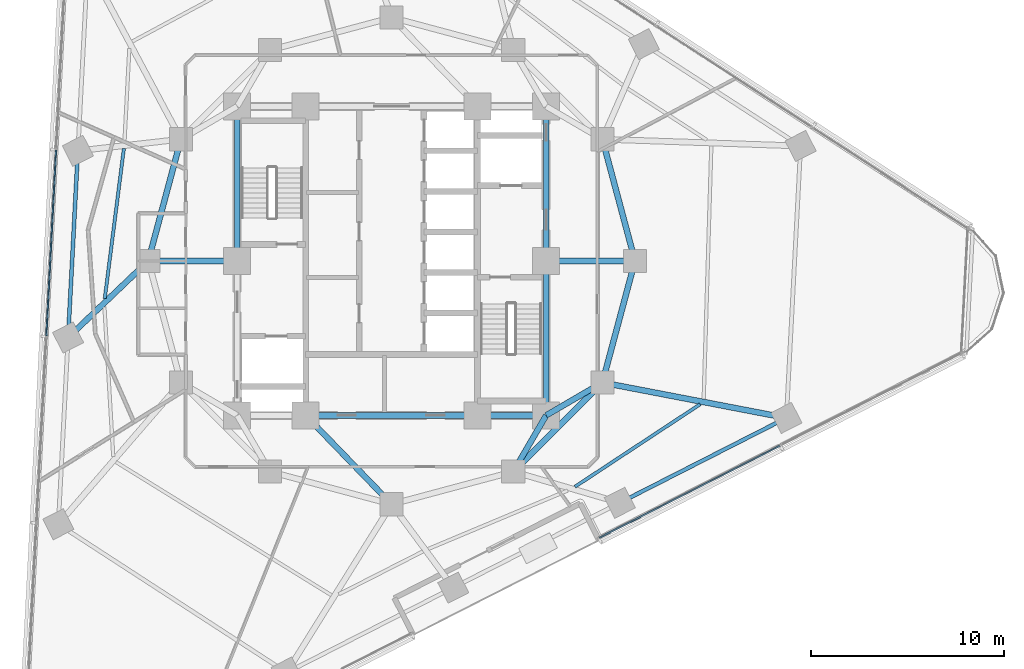
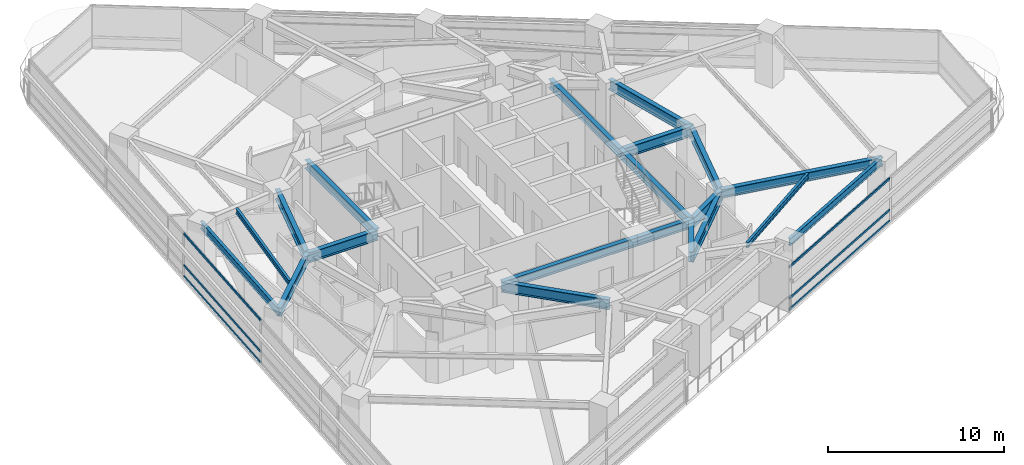
# One storey, part 3 of 14: 20 beams, 6 members, 2 elements without a shape of their own.
"""IFC4 building model written with IfcOpenShell, lengths in metres."""

from ifc_helpers import new_model, si_unit, direction, frame, origin, origin_2d, place, context, subcontext, project, spatial, rectangle, i_section, extrude, material, layer, layer_set, material_profile, profile_set, type_object, element, aggregate, save


model = new_model("IFC4")

# Units and contexts
model_context = context("Model", 3, precision=1e-05, world=origin(), true_north=direction((0.0, 1.0)))
body_context = subcontext(model_context, "Body", "Model", "MODEL_VIEW")
ifc_project = project(units=[si_unit("LENGTHUNIT", "METRE"), si_unit("AREAUNIT", "SQUARE_METRE"), si_unit("VOLUMEUNIT", "CUBIC_METRE"), si_unit("PLANEANGLEUNIT", "RADIAN"), si_unit("MASSUNIT", "GRAM", prefix="KILO")], contexts=[model_context])

# Site, building, storey
site_placement = place(None, origin())
site = spatial("IfcSite", under=ifc_project, at=site_placement, CompositionType="ELEMENT")
building_placement = place(site_placement, origin())
building = spatial("IfcBuilding", under=site, at=building_placement, Name="Terralouvre Media Tower", CompositionType="ELEMENT")
storey_placement = place(building_placement, frame((0.0, 0.0, 131.0)))
storey = spatial("IfcBuildingStorey", under=building, at=storey_placement, Name="L33", CompositionType="ELEMENT", Elevation=131.0)

# Beams
ifc_material_1 = material(Name="Structural steel S355J2", Category="steel")
ifc_material_profile_1 = material_profile(ifc_material_1, i_section(OverallWidth=0.169921875, OverallDepth=0.360107421875, WebThickness=0.008056640625, FlangeThickness=0.0126953125, at=origin_2d()), Name="IPE 360")
ifc_profile_set_1 = profile_set([ifc_material_profile_1], Name="Structural steel S355J2")
beam_type_1 = type_object("IfcBeamType", Name="Composite Floor Joist J-IPE360 (IPE 360)", PredefinedType="JOIST", material=ifc_profile_set_1)
beam_1_placement = place(storey_placement, frame((9.494873046875, -11.69140625, 3.320068359375), z_axis=(0.835078132026, 0.550131360142, 0.0), x_axis=(-0.550131360142, 0.835078132026, 0.0)))
element("IfcBeam", 1, at=beam_1_placement, inside=storey, type_object=beam_type_1, Name="L33 Framing Beam JT-L33-05", PredefinedType="JOIST", context=body_context, shape_type="SweptSolid", body=[
    extrude(i_section(OverallWidth=0.169921875, OverallDepth=0.360107421875, WebThickness=0.008056640625, FlangeThickness=0.0126953125, at=origin_2d()), origin(), (0.0, 0.0, 1.0), 7.75830078125),
])
beam_2_placement = place(storey_placement, frame((-13.864990234375, 5.81787109375, 3.320068359375), z_axis=(-0.126325695796, -0.991988819787, 0.0), x_axis=(0.991988819787, -0.126325695796, 0.0)))
element("IfcBeam", 2, at=beam_2_placement, inside=storey, type_object=beam_type_1, Name="L33 Framing Beam JT-L33-12", PredefinedType="JOIST", context=body_context, shape_type="SweptSolid", body=[
    extrude(i_section(OverallWidth=0.169921875, OverallDepth=0.360107421875, WebThickness=0.008056640625, FlangeThickness=0.0126953125, at=origin_2d()), origin(), (0.0, 0.0, 1.0), 7.8291015625),
])

# Curtain wall, members
ifc_material_2 = material(Name="Low-iron laminated double glazing with solar-control coating", Category="glass")
ifc_layer = layer(ifc_material_2, 0.1650390625, Name="Production Studio Tower Curtain Wall CW-03")
ifc_layer_set = layer_set([ifc_layer], Name="Low-iron laminated double glazing with solar-control coating")
curtain_wall_type = type_object("IfcCurtainWallType", Name="Production Studio Tower Curtain Wall CW-03", PredefinedType="NOTDEFINED", material=ifc_layer_set)
curtain_wall_1_placement = place(storey_placement, origin())
curtain_wall_1 = element("IfcCurtainWall", 3, at=curtain_wall_1_placement, inside=storey, type_object=curtain_wall_type, Name="L33 Right Flank Curtain Wall F0", PredefinedType="NOTDEFINED")
ifc_material_3 = material(Name="Anodised extruded aluminium 6063-T6", Category="aluminium")
ifc_material_profile_2 = material_profile(ifc_material_3, rectangle(XDim=0.074951171875, YDim=0.14990234375, at=origin_2d()), Name="ALU 75x150")
ifc_profile_set_2 = profile_set([ifc_material_profile_2], Name="Anodised extruded aluminium 6063-T6")
member_type = type_object("IfcMemberType", Name="Curtain-Wall Horizontal Transom TR-150", PredefinedType="USERDEFINED", material=ifc_profile_set_2)
member_1_placement = place(storey_placement, frame((10.753662109375, -14.33203125, 0.03759765625), z_axis=(0.89100733947, 0.453988899656, 0.0), x_axis=(-0.453988899656, 0.89100733947, 0.0)))
member_1 = element("IfcMember", 4, at=member_1_placement, type_object=member_type, Name="CW-03 transom 1.1", ObjectType="TRANSOM", PredefinedType="USERDEFINED", context=body_context, shape_type="SweptSolid", body=[
    extrude(rectangle(XDim=0.074951171875, YDim=0.14990234375, at=origin_2d()), origin(), (0.0, 0.0, 1.0), 10.487548828125),
])
member_2_placement = place(storey_placement, frame((10.753662109375, -14.33203125, 0.800048828125), z_axis=(0.89100733947, 0.453988899656, 0.0), x_axis=(-0.453988899656, 0.89100733947, 0.0)))
member_2 = element("IfcMember", 5, at=member_2_placement, type_object=member_type, Name="CW-03 transom 1.2", ObjectType="TRANSOM", PredefinedType="USERDEFINED", context=body_context, shape_type="SweptSolid", body=[
    extrude(rectangle(XDim=0.074951171875, YDim=0.14990234375, at=origin_2d()), origin(), (0.0, 0.0, 1.0), 10.487548828125),
])
member_3_placement = place(storey_placement, frame((10.753662109375, -14.33203125, 2.96240234375), z_axis=(0.89100733947, 0.453988899656, 0.0), x_axis=(-0.453988899656, 0.89100733947, 0.0)))
member_3 = element("IfcMember", 6, at=member_3_placement, type_object=member_type, Name="CW-03 transom 1.3", ObjectType="TRANSOM", PredefinedType="USERDEFINED", context=body_context, shape_type="SweptSolid", body=[
    extrude(rectangle(XDim=0.074951171875, YDim=0.14990234375, at=origin_2d()), origin(), (0.0, 0.0, 1.0), 10.487548828125),
])
aggregate(curtain_wall_1, [member_1, member_2, member_3])

curtain_wall_2_placement = place(storey_placement, origin())
curtain_wall_2 = element("IfcCurtainWall", 7, at=curtain_wall_2_placement, inside=storey, type_object=curtain_wall_type, Name="L33 Facade Curtain Wall F2", PredefinedType="NOTDEFINED")
member_4_placement = place(storey_placement, frame((-17.37646484375, 5.7197265625, 0.03759765625), z_axis=(-0.052336036535, -0.998629530547, 0.0), x_axis=(0.998629530547, -0.052336036535, 0.0)))
member_4 = element("IfcMember", 8, at=member_4_placement, type_object=member_type, Name="CW-03 transom 3.1", ObjectType="TRANSOM", PredefinedType="USERDEFINED", context=body_context, shape_type="SweptSolid", body=[
    extrude(rectangle(XDim=0.074951171875, YDim=0.14990234375, at=origin_2d()), origin(), (0.0, 0.0, 1.0), 9.60498046875),
])
member_5_placement = place(storey_placement, frame((-17.37646484375, 5.7197265625, 0.800048828125), z_axis=(-0.052336036535, -0.998629530547, 0.0), x_axis=(0.998629530547, -0.052336036535, 0.0)))
member_5 = element("IfcMember", 9, at=member_5_placement, type_object=member_type, Name="CW-03 transom 3.2", ObjectType="TRANSOM", PredefinedType="USERDEFINED", context=body_context, shape_type="SweptSolid", body=[
    extrude(rectangle(XDim=0.074951171875, YDim=0.14990234375, at=origin_2d()), origin(), (0.0, 0.0, 1.0), 9.60498046875),
])
member_6_placement = place(storey_placement, frame((-17.37646484375, 5.7197265625, 2.96240234375), z_axis=(-0.052336036535, -0.998629530547, 0.0), x_axis=(0.998629530547, -0.052336036535, 0.0)))
member_6 = element("IfcMember", 10, at=member_6_placement, type_object=member_type, Name="CW-03 transom 3.3", ObjectType="TRANSOM", PredefinedType="USERDEFINED", context=body_context, shape_type="SweptSolid", body=[
    extrude(rectangle(XDim=0.074951171875, YDim=0.14990234375, at=origin_2d()), origin(), (0.0, 0.0, 1.0), 9.60498046875),
])
aggregate(curtain_wall_2, [member_4, member_5, member_6])

# Beams
ifc_material_4 = material(Name="Structural steel S355J2", Category="steel")
ifc_material_profile_3 = material_profile(ifc_material_4, i_section(OverallWidth=0.199951171875, OverallDepth=0.5, WebThickness=0.01025390625, FlangeThickness=0.01611328125, at=origin_2d()), Name="IPE 500")
ifc_profile_set_3 = profile_set([ifc_material_profile_3], Name="Structural steel S355J2")
beam_type_2 = type_object("IfcBeamType", Name="Perimeter Spandrel Beam SPB-500 (IPE 500)", PredefinedType="SPANDREL", material=ifc_profile_set_3)
for number, where, z_axis, x_axis, name in (
    (11, (11.813232421875, -12.523681640625, 3.25), (0.891011779054, 0.453980186338, 0.0), (-0.453980186338, 0.891011779054, 0.0), "L33 Framing Beam BM-L33-PR05"),
    (12, (-16.245849609375, 5.697998046875, 3.25), (-0.052333792648, -0.998629648141, 0.0), (0.998629648141, -0.052333792648, 0.0), "L33 Framing Beam BM-L33-PR12"),
):
    element("IfcBeam", number, at=place(storey_placement, frame(where, z_axis=z_axis, x_axis=x_axis)), inside=storey, type_object=beam_type_2, Name=name, PredefinedType="SPANDREL", context=body_context, shape_type="SweptSolid", body=[
        extrude(i_section(OverallWidth=0.199951171875, OverallDepth=0.5, WebThickness=0.01025390625, FlangeThickness=0.01611328125, at=origin_2d()), origin(), (0.0, 0.0, 1.0), 9.679931640625),
    ])
ifc_material_5 = material(Name="Structural steel S460M", Category="steel")
ifc_material_profile_4 = material_profile(ifc_material_5, i_section(OverallWidth=0.300048828125, OverallDepth=0.60009765625, WebThickness=0.015380859375, FlangeThickness=0.030029296875, at=origin_2d()), Name="HEB 600")
ifc_profile_set_4 = profile_set([ifc_material_profile_4], Name="Structural steel S460M")
beam_type_3 = type_object("IfcBeamType", Name="Primary Floor Girder B-HEB600 (HEB 600)", PredefinedType="BEAM", material=ifc_profile_set_4)
beam_3_placement = place(storey_placement, frame((-4.449951171875, -8.0, 3.199951171875), z_axis=(1.0, 0.0, 0.0), x_axis=(0.0, 1.0, 0.0)))
element("IfcBeam", 13, at=beam_3_placement, inside=storey, type_object=beam_type_3, Name="L33 Framing Beam BM-L33-CPR02", PredefinedType="BEAM", context=body_context, shape_type="SweptSolid", body=[
    extrude(i_section(OverallWidth=0.300048828125, OverallDepth=0.60009765625, WebThickness=0.015380859375, FlangeThickness=0.030029296875, at=origin_2d()), origin(), (0.0, 0.0, 1.0), 8.89990234375),
])
beam_4_placement = place(storey_placement, frame((4.449951171875, -8.0, 3.199951171875), z_axis=(1.0, 0.0, 0.0), x_axis=(0.0, 1.0, 0.0)))
element("IfcBeam", 14, at=beam_4_placement, inside=storey, type_object=beam_type_3, Name="L33 Framing Beam BM-L33-CPR03", PredefinedType="BEAM", context=body_context, shape_type="SweptSolid", body=[
    extrude(i_section(OverallWidth=0.300048828125, OverallDepth=0.60009765625, WebThickness=0.015380859375, FlangeThickness=0.030029296875, at=origin_2d()), origin(), (0.0, 0.0, 1.0), 3.550048828125),
])
for number, where, z_axis, x_axis, name in (
    (15, (8.0, -8.0, 3.199951171875), (0.0, 1.0, 0.0), (-1.0, 0.0, 0.0), "L33 Framing Beam BM-L33-CPR04"),
    (16, (8.0, 0.0, 3.199951171875), (0.0, 1.0, 0.0), (-1.0, 0.0, 0.0), "L33 Framing Beam BM-L33-CPR05"),
    (17, (-8.0, 8.0, 3.199951171875), (0.0, -1.0, 0.0), (1.0, 0.0, 0.0), "L33 Framing Beam BM-L33-CPR09"),
):
    element("IfcBeam", number, at=place(storey_placement, frame(where, z_axis=z_axis, x_axis=x_axis)), inside=storey, type_object=beam_type_3, Name=name, PredefinedType="BEAM", context=body_context, shape_type="SweptSolid", body=[
        extrude(i_section(OverallWidth=0.300048828125, OverallDepth=0.60009765625, WebThickness=0.015380859375, FlangeThickness=0.030029296875, at=origin_2d()), origin(), (0.0, 0.0, 1.0), 8.0),
    ])
beam_5_placement = place(storey_placement, frame((-12.60009765625, 0.0, 3.199951171875), z_axis=(-0.722907652864, -0.690944661627, 0.0), x_axis=(0.690944661627, -0.722907652864, 0.0)))
element("IfcBeam", 18, at=beam_5_placement, inside=storey, type_object=beam_type_3, Name="L33 Framing Beam BM-L33-RD01", PredefinedType="BEAM", context=body_context, shape_type="SweptSolid", body=[
    extrude(i_section(OverallWidth=0.300048828125, OverallDepth=0.60009765625, WebThickness=0.015380859375, FlangeThickness=0.030029296875, at=origin_2d()), origin(), (0.0, 0.0, 1.0), 5.743896484375),
])
beam_6_placement = place(storey_placement, frame((10.911865234375, -6.300048828125, 3.199951171875), z_axis=(0.982061695862, -0.188559872511, 0.0), x_axis=(0.188559872511, 0.982061695862, 0.0)))
element("IfcBeam", 19, at=beam_6_placement, inside=storey, type_object=beam_type_3, Name="L33 Framing Beam BM-L33-RD06", PredefinedType="BEAM", context=body_context, shape_type="SweptSolid", body=[
    extrude(i_section(OverallWidth=0.300048828125, OverallDepth=0.60009765625, WebThickness=0.015380859375, FlangeThickness=0.030029296875, at=origin_2d()), origin(), (0.0, 0.0, 1.0), 9.700439453125),
])
ifc_material_6 = material(Name="Structural steel S460M", Category="steel")
ifc_material_profile_5 = material_profile(ifc_material_6, i_section(OverallWidth=0.300048828125, OverallDepth=0.699951171875, WebThickness=0.01708984375, FlangeThickness=0.031982421875, at=origin_2d()), Name="HEB 700")
ifc_profile_set_5 = profile_set([ifc_material_profile_5], Name="Structural steel S460M")
beam_type_4 = type_object("IfcBeamType", Name="Primary Floor Girder B-HEB700 (HEB 700)", PredefinedType="BEAM", material=ifc_profile_set_5)
beam_7_placement = place(storey_placement, frame((6.300048828125, -10.911865234375, 3.14990234375), z_axis=(0.707106781187, 0.707106781187, 0.0), x_axis=(-0.707106781187, 0.707106781187, 0.0)))
element("IfcBeam", 20, at=beam_7_placement, inside=storey, type_object=beam_type_4, Name="L33 Framing Beam BM-L33-MR04", PredefinedType="BEAM", context=body_context, shape_type="SweptSolid", body=[
    extrude(i_section(OverallWidth=0.300048828125, OverallDepth=0.699951171875, WebThickness=0.01708984375, FlangeThickness=0.031982421875, at=origin_2d()), origin(), (0.0, 0.0, 1.0), 6.52197265625),
])
for number, where, z_axis, x_axis, name in (
    (21, (10.911865234375, -6.300048828125, 3.14990234375), (0.258838989821, 0.965920481897, 0.0), (-0.965920481897, 0.258838989821, 0.0), "L33 Framing Beam BM-L33-MR05"),
    (22, (12.60009765625, 0.0, 3.14990234375), (-0.258838989821, 0.965920481897, 0.0), (-0.965920481897, -0.258838989821, 0.0), "L33 Framing Beam BM-L33-MR06"),
    (23, (-10.911865234375, 6.300048828125, 3.14990234375), (-0.258838989821, -0.965920481897, 0.0), (0.965920481897, -0.258838989821, 0.0), "L33 Framing Beam BM-L33-MR11"),
):
    element("IfcBeam", number, at=place(storey_placement, frame(where, z_axis=z_axis, x_axis=x_axis)), inside=storey, type_object=beam_type_4, Name=name, PredefinedType="BEAM", context=body_context, shape_type="SweptSolid", body=[
        extrude(i_section(OverallWidth=0.300048828125, OverallDepth=0.699951171875, WebThickness=0.01708984375, FlangeThickness=0.031982421875, at=origin_2d()), origin(), (0.0, 0.0, 1.0), 6.522216796875),
    ])
beam_8_placement = place(storey_placement, frame((-4.449951171875, -8.0, 3.14990234375), z_axis=(0.695279715726, -0.718739255155, 0.0), x_axis=(0.718739255155, 0.695279715726, 0.0)))
element("IfcBeam", 24, at=beam_8_placement, inside=storey, type_object=beam_type_4, Name="L33 Framing Beam BM-L33-CM03", PredefinedType="BEAM", context=body_context, shape_type="SweptSolid", body=[
    extrude(i_section(OverallWidth=0.300048828125, OverallDepth=0.699951171875, WebThickness=0.01708984375, FlangeThickness=0.031982421875, at=origin_2d()), origin(), (0.0, 0.0, 1.0), 6.400146484375),
])
for number, where, z_axis, x_axis, name in (
    (25, (8.0, -8.0, 3.14990234375), (-0.504172629717, -0.863602894532, 0.0), (0.863602894532, -0.504172629717, 0.0), "L33 Framing Beam BM-L33-CM04"),
    (26, (8.0, -8.0, 3.14990234375), (0.863602894532, 0.504172629717, 0.0), (-0.504172629717, 0.863602894532, 0.0), "L33 Framing Beam BM-L33-CM05"),
):
    element("IfcBeam", number, at=place(storey_placement, frame(where, z_axis=z_axis, x_axis=x_axis)), inside=storey, type_object=beam_type_4, Name=name, PredefinedType="BEAM", context=body_context, shape_type="SweptSolid", body=[
        extrude(i_section(OverallWidth=0.300048828125, OverallDepth=0.699951171875, WebThickness=0.01708984375, FlangeThickness=0.031982421875, at=origin_2d()), origin(), (0.0, 0.0, 1.0), 3.371826171875),
    ])
for number, where, z_axis, x_axis, name in (
    (27, (8.0, 0.0, 3.14990234375), (1.0, 0.0, 0.0), (0.0, 1.0, 0.0), "L33 Framing Beam BM-L33-CM06"),
    (28, (-8.0, 0.0, 3.14990234375), (-1.0, 0.0, 0.0), (0.0, -1.0, 0.0), "L33 Framing Beam BM-L33-CM12"),
):
    element("IfcBeam", number, at=place(storey_placement, frame(where, z_axis=z_axis, x_axis=x_axis)), inside=storey, type_object=beam_type_4, Name=name, PredefinedType="BEAM", context=body_context, shape_type="SweptSolid", body=[
        extrude(i_section(OverallWidth=0.300048828125, OverallDepth=0.699951171875, WebThickness=0.01708984375, FlangeThickness=0.031982421875, at=origin_2d()), origin(), (0.0, 0.0, 1.0), 4.60009765625),
    ])

save(model, "model.ifc")
